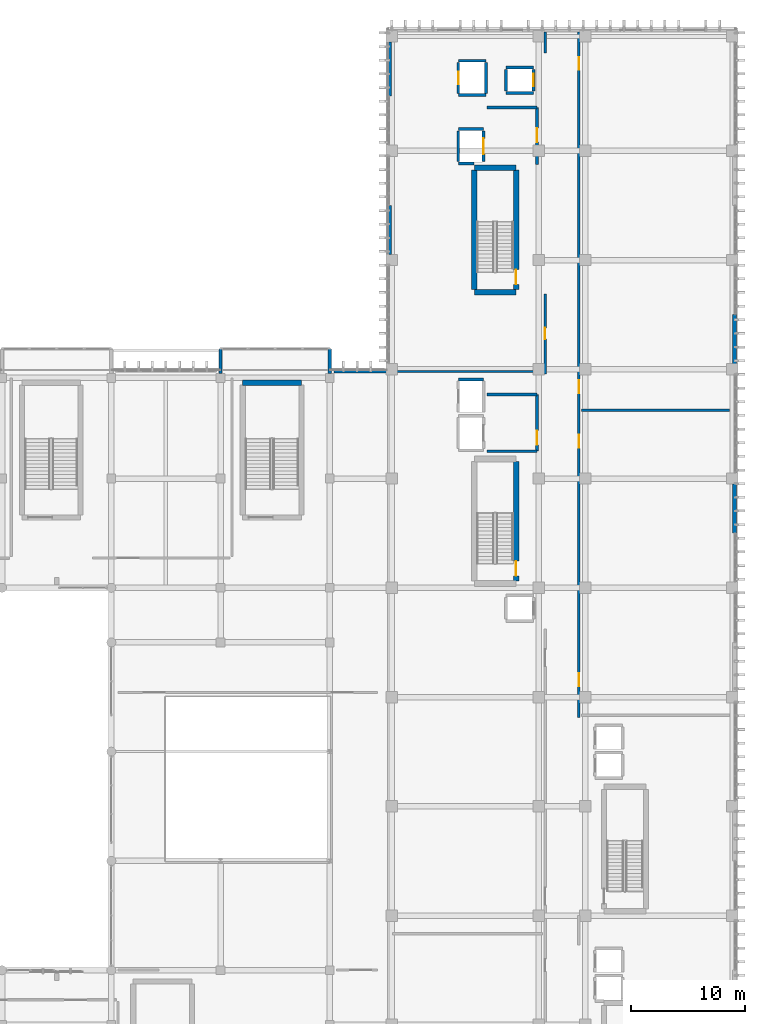
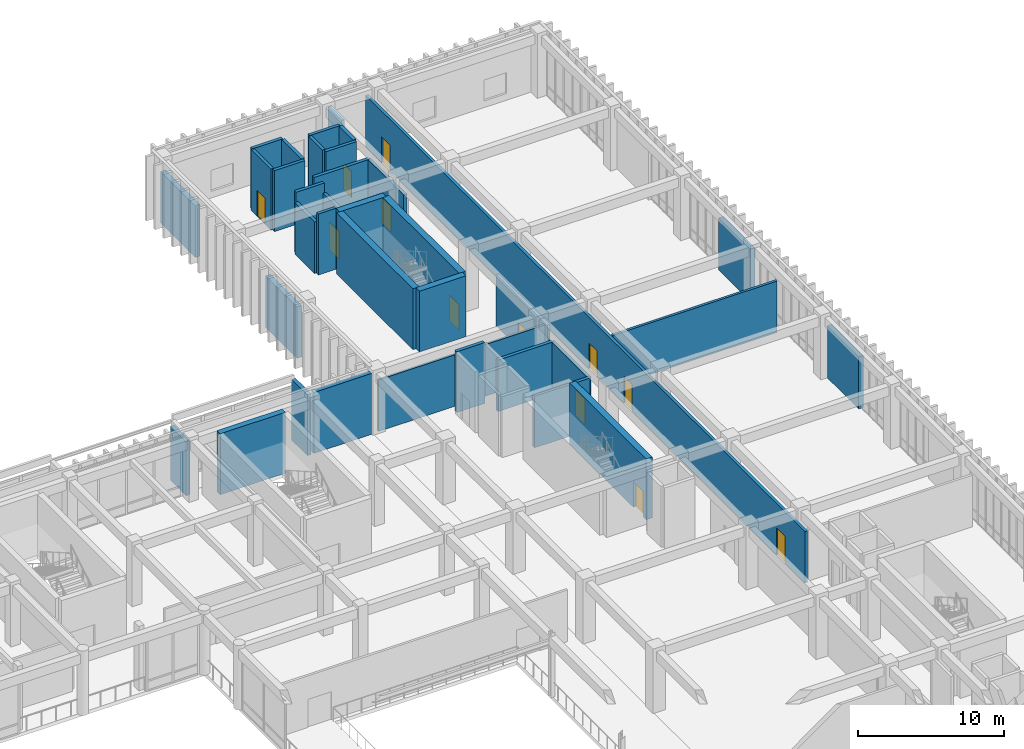
# One storey, part 108 of 134: 36 walls, 12 doors, 12 openings.
"""IFC4 building model written with IfcOpenShell, lengths in metres."""

from ifc_helpers import new_model, si_unit, direction, frame, frame_2d, origin, place, context, subcontext, project, spatial, rectangle, extrude, material, layer, layer_set, type_object, element, fill, save


model = new_model("IFC4")

# Units and contexts
model_context = context("Model", 3, precision=1e-05, world=origin(), true_north=direction((0.0, 1.0)))
body_context = subcontext(model_context, "Body", "Model", "MODEL_VIEW")
ifc_project = project(units=[si_unit("LENGTHUNIT", "METRE"), si_unit("AREAUNIT", "SQUARE_METRE"), si_unit("VOLUMEUNIT", "CUBIC_METRE"), si_unit("PLANEANGLEUNIT", "RADIAN"), si_unit("MASSUNIT", "GRAM", prefix="KILO")], contexts=[model_context])

# Site, building, storey
site_placement = place(None, origin())
site = spatial("IfcSite", under=ifc_project, at=site_placement, CompositionType="ELEMENT")
building_placement = place(site_placement, origin())
building = spatial("IfcBuilding", under=site, at=building_placement, Name="Nakhvara Creek Congress Hotel", CompositionType="ELEMENT")
storey_placement = place(building_placement, frame((0.0, 0.0, 6.0)))
storey = spatial("IfcBuildingStorey", under=building, at=storey_placement, Name="L01", CompositionType="ELEMENT", Elevation=6.0)

# Walls
ifc_material_1 = material(Name="Champagne-bronze anodised aluminium cassette", Category="aluminium")
ifc_layer_1 = layer(ifc_material_1, 0.030029296875)
ifc_material_2 = material(Name="Mineral wool thermal insulation")
ifc_layer_2 = layer(ifc_material_2, 0.10009765625)
ifc_material_3 = material(Name="Precast concrete C40/50", Category="concrete")
ifc_layer_3 = layer(ifc_material_3, 0.169921875)
ifc_layer_set_1 = layer_set([ifc_layer_1, ifc_layer_2, ifc_layer_3], Name="Precast concrete C40/50")
wall_type_1 = type_object("IfcWallType", Name="W-BOX-300", PredefinedType="SOLIDWALL", material=ifc_layer_set_1)
wall_1_placement = place(storey_placement, frame((134.39990234375, 95.64990234375, 0.0), z_axis=(0.0, 0.0, 1.0), x_axis=(0.0, 1.0, 0.0)))
element("IfcWall", 1, at=wall_1_placement, inside=storey, type_object=wall_type_1, Name="Exterior Wall WE06-EW-L01-0048", PredefinedType="SOLIDWALL", context=body_context, shape_type="SweptSolid", body=[
    extrude(rectangle(XDim=2.150146484375, YDim=0.300048828125, at=frame_2d((1.0751953125, 0.0))), origin(), (0.0, 0.0, 1.0), 4.5419921875),
])
wall_2_placement = place(storey_placement, frame((144.0, 97.800048828125, 0.0), z_axis=(0.0, 0.0, 1.0), x_axis=(0.0, -1.0, 0.0)))
element("IfcWall", 2, at=wall_2_placement, inside=storey, type_object=wall_type_1, Name="Exterior Wall WE06-EW-L01-0049", PredefinedType="SOLIDWALL", context=body_context, shape_type="SweptSolid", body=[
    extrude(rectangle(XDim=2.150146484375, YDim=0.300048828125, at=frame_2d((1.0751953125, 0.0))), origin(), (0.0, 0.0, 1.0), 5.10009765625),
])
ifc_material_4 = material(Name="Concrete C50/60", Category="concrete")
ifc_layer_4 = layer(ifc_material_4, 0.449951171875)
ifc_layer_set_2 = layer_set([ifc_layer_4], Name="Concrete C50/60")
wall_type_2 = type_object("IfcWallType", Name="W-CORE-450", PredefinedType="SHEAR", material=ifc_layer_set_2)
wall_3_placement = place(storey_placement, frame((136.35009765625, 94.820068359375, 0.0), z_axis=(0.0, 0.0, 1.0), x_axis=(1.0, 0.0, 0.0)))
element("IfcWall", 3, at=wall_3_placement, inside=storey, type_object=wall_type_2, Name="Core Shear Wall WS02-CWALL-L01-0924", PredefinedType="SHEAR", context=body_context, shape_type="SweptSolid", body=[
    extrude(rectangle(XDim=5.14990234375, YDim=0.449951171875, at=frame_2d((2.574951171875, 0.0))), origin(), (0.0, 0.0, 1.0), 5.10009765625),
])

# Wall, opening, door
ifc_layer_5 = layer(ifc_material_4, 0.5)
ifc_layer_set_3 = layer_set([ifc_layer_5], Name="Concrete C50/60")
wall_type_3 = type_object("IfcWallType", Name="W-CORE-500", PredefinedType="SHEAR", material=ifc_layer_set_3)
wall_4_placement = place(storey_placement, frame((160.3701171875, 77.39990234375, 0.0), z_axis=(0.0, 0.0, 1.0), x_axis=(0.0, 1.0, 0.0)))
wall_4 = element("IfcWall", 4, at=wall_4_placement, inside=storey, type_object=wall_type_3, Name="Core Shear Wall WS01-CWALL-L01-0058", PredefinedType="SHEAR", context=body_context, shape_type="SweptSolid", body=[
    extrude(rectangle(XDim=10.5, YDim=0.5, at=frame_2d((5.25, 0.0))), origin(), (0.0, 0.0, 1.0), 5.10009765625),
])
opening_1_placement = place(wall_4_placement, frame((0.449951171875, 0.0, 0.0)))
opening_1 = element("IfcOpeningElement", 5, at=opening_1_placement, cuts=wall_4, Name="Opening FD04", PredefinedType="OPENING", context=body_context, shape_type="SweptSolid", body=[
    extrude(rectangle(XDim=1.300048828125, YDim=2.14990234375, at=frame_2d((0.64990234375, 1.074951171875))), frame((0.0, 0.261962890625, 0.0), z_axis=(0.0, -1.0, 0.0), x_axis=(1.0, 0.0, 0.0)), (0.0, 0.0, 1.0), 0.52392578125),
])
ifc_material_5 = material(Name="Powder-coated steel fire door", Category="steel")
door_type_1 = type_object("IfcDoorType", Name="DT-STAIR-130", OperationType="NOTDEFINED", PredefinedType="DOOR", material=ifc_material_5)
door_1_placement = place(opening_1_placement, frame((1.300048828125, 0.0, 0.0), z_axis=(0.0, 0.0, 1.0), x_axis=(-1.0, 0.0, 0.0)))
door_1 = element("IfcDoor", 6, at=door_1_placement, inside=storey, type_object=door_type_1, Name="Stair Exit Door ST01-L01", OperationType="SINGLE_SWING_LEFT", OverallHeight=2.14990234375, OverallWidth=1.300048828125, PredefinedType="DOOR", context=body_context, shape_type="SweptSolid", body=[
    extrude(rectangle(XDim=1.300048828125, YDim=2.14990234375, at=frame_2d((0.64990234375, 1.074951171875))), frame((0.0, 0.02490234375, 0.0), z_axis=(0.0, -1.0, 0.0), x_axis=(1.0, 0.0, 0.0)), (0.0, 0.0, 1.0), 0.050048828125),
])
fill(opening_1, door_1)

# Walls
for number, where, z_axis, x_axis, name in (
    (7, (156.699951171875, 102.780029296875, 0.0), (0.0, 0.0, 1.0), (1.0, 0.0, 0.0), "Core Shear Wall WS01-CWALL-L01-0322"),
    (8, (156.699951171875, 113.719970703125, 0.0), (0.0, 0.0, 1.0), (1.0, 0.0, 0.0), "Core Shear Wall WS01-CWALL-L01-0323"),
):
    element("IfcWall", number, at=place(storey_placement, frame(where, z_axis=z_axis, x_axis=x_axis)), inside=storey, type_object=wall_type_3, Name=name, PredefinedType="SHEAR", context=body_context, shape_type="SweptSolid", body=[
        extrude(rectangle(XDim=3.670166015625, YDim=0.5, at=frame_2d((1.8349609375, 0.0))), origin(), (0.0, 0.0, 1.0), 5.10009765625),
    ])
wall_5_placement = place(storey_placement, frame((156.699951171875, 103.0, 0.0), z_axis=(0.0, 0.0, 1.0), x_axis=(0.0, 1.0, 0.0)))
element("IfcWall", 9, at=wall_5_placement, inside=storey, type_object=wall_type_3, Name="Core Shear Wall WS01-CWALL-L01-0324", PredefinedType="SHEAR", context=body_context, shape_type="SweptSolid", body=[
    extrude(rectangle(XDim=10.5, YDim=0.5, at=frame_2d((5.25, 0.0))), origin(), (0.0, 0.0, 1.0), 5.10009765625),
])

# Wall, opening, door
wall_6_placement = place(storey_placement, frame((160.3701171875, 103.0, 0.0), z_axis=(0.0, 0.0, 1.0), x_axis=(0.0, 1.0, 0.0)))
wall_6 = element("IfcWall", 10, at=wall_6_placement, inside=storey, type_object=wall_type_3, Name="Core Shear Wall WS01-CWALL-L01-0325", PredefinedType="SHEAR", context=body_context, shape_type="SweptSolid", body=[
    extrude(rectangle(XDim=10.5, YDim=0.5, at=frame_2d((5.25, 0.0))), origin(), (0.0, 0.0, 1.0), 5.10009765625),
])
opening_2_placement = place(wall_6_placement, frame((0.449951171875, 0.0, 0.0)))
opening_2 = element("IfcOpeningElement", 11, at=opening_2_placement, cuts=wall_6, Name="Opening FD04", PredefinedType="OPENING", context=body_context, shape_type="SweptSolid", body=[
    extrude(rectangle(XDim=1.300048828125, YDim=2.14990234375, at=frame_2d((0.64990234375, 1.074951171875))), frame((0.0, 0.261962890625, 0.0), z_axis=(0.0, -1.0, 0.0), x_axis=(1.0, 0.0, 0.0)), (0.0, 0.0, 1.0), 0.52392578125),
])
door_2_placement = place(opening_2_placement, frame((1.300048828125, 0.0, 0.0), z_axis=(0.0, 0.0, 1.0), x_axis=(-1.0, 0.0, 0.0)))
door_2 = element("IfcDoor", 12, at=door_2_placement, inside=storey, type_object=door_type_1, Name="Stair Exit Door ST02-L01", OperationType="SINGLE_SWING_LEFT", OverallHeight=2.14990234375, OverallWidth=1.300048828125, PredefinedType="DOOR", context=body_context, shape_type="SweptSolid", body=[
    extrude(rectangle(XDim=1.300048828125, YDim=2.14990234375, at=frame_2d((0.64990234375, 1.074951171875))), frame((0.0, 0.02490234375, 0.0), z_axis=(0.0, -1.0, 0.0), x_axis=(1.0, 0.0, 0.0)), (0.0, 0.0, 1.0), 0.050048828125),
])
fill(opening_2, door_2)

ifc_material_6 = material(Name="Gypsum acoustic board on steel stud", Category="steel")
ifc_layer_6 = layer(ifc_material_6, 0.219970703125)
ifc_layer_set_4 = layer_set([ifc_layer_6], Name="Gypsum acoustic board on steel stud")
wall_type_4 = type_object("IfcWallType", Name="W-CORR-220", PredefinedType="PARTITIONING", material=ifc_layer_set_4)
wall_7_placement = place(storey_placement, frame((162.919921875, 95.60009765625, 0.0), z_axis=(0.0, 0.0, 1.0), x_axis=(0.0, 1.0, 0.0)))
wall_7 = element("IfcWall", 13, at=wall_7_placement, inside=storey, type_object=wall_type_4, Name="Interior Wall WP11-IW-L01-0079", PredefinedType="PARTITIONING", context=body_context, shape_type="SweptSolid", body=[
    extrude(rectangle(XDim=7.0, YDim=0.219970703125, at=frame_2d((3.5, 0.0))), origin(), (0.0, 0.0, 1.0), 4.31201171875),
])
opening_3_placement = place(wall_7_placement, frame((3.050048828125, 0.0, 0.0)))
opening_3 = element("IfcOpeningElement", 14, at=opening_3_placement, cuts=wall_7, Name="Opening MD03", PredefinedType="OPENING", context=body_context, shape_type="SweptSolid", body=[
    extrude(rectangle(XDim=0.97998046875, YDim=2.14990234375, at=frame_2d((0.489990234375, 1.074951171875))), frame((0.0, 0.1220703125, 0.0), z_axis=(0.0, -1.0, 0.0), x_axis=(1.0, 0.0, 0.0)), (0.0, 0.0, 1.0), 0.243896484375),
])
ifc_material_7 = material(Name="Acoustic ISO 2603 sound-lock timber door", Category="wood")
door_type_2 = type_object("IfcDoorType", Name="DT-ISO-098", OperationType="NOTDEFINED", PredefinedType="DOOR", material=ifc_material_7)
door_3_placement = place(opening_3_placement, frame((0.97998046875, 0.0, 0.0), z_axis=(0.0, 0.0, 1.0), x_axis=(-1.0, 0.0, 0.0)))
door_3 = element("IfcDoor", 15, at=door_3_placement, inside=storey, type_object=door_type_2, Name="Interior Door MD03-0123", OperationType="SINGLE_SWING_RIGHT", OverallHeight=2.14990234375, OverallWidth=0.97998046875, PredefinedType="DOOR", context=body_context, shape_type="SweptSolid", body=[
    extrude(rectangle(XDim=0.97998046875, YDim=2.14990234375, at=frame_2d((0.489990234375, 1.074951171875))), frame((0.0, 0.02490234375, 0.0), z_axis=(0.0, -1.0, 0.0), x_axis=(1.0, 0.0, 0.0)), (0.0, 0.0, 1.0), 0.050048828125),
])
fill(opening_3, door_3)

# Wall
wall_8_placement = place(storey_placement, frame((162.919921875, 123.800048828125, 0.0), z_axis=(0.0, 0.0, 1.0), x_axis=(0.0, 1.0, 0.0)))
element("IfcWall", 16, at=wall_8_placement, inside=storey, type_object=wall_type_4, Name="Interior Wall WP11-IW-L01-0080", PredefinedType="PARTITIONING", context=body_context, shape_type="SweptSolid", body=[
    extrude(rectangle(XDim=1.849853515625, YDim=0.219970703125, at=frame_2d((0.9248046875, 0.0))), origin(), (0.0, 0.0, 1.0), 4.342041015625),
])

# Wall, openings, doors
wall_9_placement = place(storey_placement, frame((165.8798828125, 65.39990234375, 0.0), z_axis=(0.0, 0.0, 1.0), x_axis=(0.0, 1.0, 0.0)))
wall_9 = element("IfcWall", 17, at=wall_9_placement, inside=storey, type_object=wall_type_4, Name="Interior Wall WP11-IW-L01-0083", PredefinedType="PARTITIONING", context=body_context, shape_type="SweptSolid", body=[
    extrude(rectangle(XDim=60.25, YDim=0.219970703125, at=frame_2d((30.125, 0.0))), origin(), (0.0, 0.0, 1.0), 4.31201171875),
])
opening_4_placement = place(wall_9_placement, frame((2.75, 0.0, 0.0)))
opening_4 = element("IfcOpeningElement", 18, at=opening_4_placement, cuts=wall_9, Name="Opening GD05", PredefinedType="OPENING", context=body_context, shape_type="SweptSolid", body=[
    extrude(rectangle(XDim=1.139892578125, YDim=2.260009765625, at=frame_2d((0.56982421875, 1.1298828125))), frame((0.0, 0.1220703125, 0.0), z_axis=(0.0, -1.0, 0.0), x_axis=(1.0, 0.0, 0.0)), (0.0, 0.0, 1.0), 0.243896484375),
])
opening_5_placement = place(wall_9_placement, frame((23.699951171875, 0.0, 0.0)))
opening_5 = element("IfcOpeningElement", 19, at=opening_5_placement, cuts=wall_9, Name="Opening GD05", PredefinedType="OPENING", context=body_context, shape_type="SweptSolid", body=[
    extrude(rectangle(XDim=1.139892578125, YDim=2.260009765625, at=frame_2d((0.56982421875, 1.1298828125))), frame((0.0, 0.1220703125, 0.0), z_axis=(0.0, -1.0, 0.0), x_axis=(1.0, 0.0, 0.0)), (0.0, 0.0, 1.0), 0.243896484375),
])
opening_6_placement = place(wall_9_placement, frame((28.5, 0.0, 0.0)))
opening_6 = element("IfcOpeningElement", 20, at=opening_6_placement, cuts=wall_9, Name="Opening BD01", PredefinedType="OPENING", context=body_context, shape_type="SweptSolid", body=[
    extrude(rectangle(XDim=1.1201171875, YDim=2.14990234375, at=frame_2d((0.56005859375, 1.074951171875))), frame((0.0, 0.1220703125, 0.0), z_axis=(0.0, -1.0, 0.0), x_axis=(1.0, 0.0, 0.0)), (0.0, 0.0, 1.0), 0.243896484375),
])
opening_7_placement = place(wall_9_placement, frame((56.89990234375, 0.0, 0.0)))
opening_7 = element("IfcOpeningElement", 21, at=opening_7_placement, cuts=wall_9, Name="Opening BD01", PredefinedType="OPENING", context=body_context, shape_type="SweptSolid", body=[
    extrude(rectangle(XDim=1.1201171875, YDim=2.14990234375, at=frame_2d((0.56005859375, 1.074951171875))), frame((0.0, 0.1220703125, 0.0), z_axis=(0.0, -1.0, 0.0), x_axis=(1.0, 0.0, 0.0)), (0.0, 0.0, 1.0), 0.243896484375),
])
ifc_material_8 = material(Name="Walnut hardwood timber fire door", Category="wood")
door_type_3 = type_object("IfcDoorType", Name="DT-GUEST-114", OperationType="NOTDEFINED", PredefinedType="DOOR", material=ifc_material_8)
door_4_placement = place(opening_4_placement, origin())
door_4 = element("IfcDoor", 22, at=door_4_placement, inside=storey, type_object=door_type_3, Name="Interior Door GD05-0119", OperationType="SINGLE_SWING_RIGHT", OverallHeight=2.260009765625, OverallWidth=1.139892578125, PredefinedType="DOOR", context=body_context, shape_type="SweptSolid", body=[
    extrude(rectangle(XDim=1.139892578125, YDim=2.260009765625, at=frame_2d((0.56982421875, 1.1298828125))), frame((0.0, 0.02490234375, 0.0), z_axis=(0.0, -1.0, 0.0), x_axis=(1.0, 0.0, 0.0)), (0.0, 0.0, 1.0), 0.050048828125),
])
fill(opening_4, door_4)
door_5_placement = place(opening_5_placement, origin())
door_5 = element("IfcDoor", 23, at=door_5_placement, inside=storey, type_object=door_type_3, Name="Interior Door GD05-0120", OperationType="SINGLE_SWING_LEFT", OverallHeight=2.260009765625, OverallWidth=1.139892578125, PredefinedType="DOOR", context=body_context, shape_type="SweptSolid", body=[
    extrude(rectangle(XDim=1.139892578125, YDim=2.260009765625, at=frame_2d((0.56982421875, 1.1298828125))), frame((0.0, 0.02490234375, 0.0), z_axis=(0.0, -1.0, 0.0), x_axis=(1.0, 0.0, 0.0)), (0.0, 0.0, 1.0), 0.050048828125),
])
fill(opening_5, door_5)
ifc_material_9 = material(Name="Hardwood-faced service fire door", Category="wood")
door_type_4 = type_object("IfcDoorType", Name="DT-HK-112", OperationType="NOTDEFINED", PredefinedType="DOOR", material=ifc_material_9)
door_6_placement = place(opening_6_placement, origin())
door_6 = element("IfcDoor", 24, at=door_6_placement, inside=storey, type_object=door_type_4, Name="Interior Door BD01-0124", OperationType="SINGLE_SWING_LEFT", OverallHeight=2.14990234375, OverallWidth=1.1201171875, PredefinedType="DOOR", context=body_context, shape_type="SweptSolid", body=[
    extrude(rectangle(XDim=1.1201171875, YDim=2.14990234375, at=frame_2d((0.56005859375, 1.074951171875))), frame((0.0, 0.02490234375, 0.0), z_axis=(0.0, -1.0, 0.0), x_axis=(1.0, 0.0, 0.0)), (0.0, 0.0, 1.0), 0.050048828125),
])
fill(opening_6, door_6)
door_7_placement = place(opening_7_placement, origin())
door_7 = element("IfcDoor", 25, at=door_7_placement, inside=storey, type_object=door_type_4, Name="Interior Door BD01-0125", OperationType="SINGLE_SWING_RIGHT", OverallHeight=2.14990234375, OverallWidth=1.1201171875, PredefinedType="DOOR", context=body_context, shape_type="SweptSolid", body=[
    extrude(rectangle(XDim=1.1201171875, YDim=2.14990234375, at=frame_2d((0.56005859375, 1.074951171875))), frame((0.0, 0.02490234375, 0.0), z_axis=(0.0, -1.0, 0.0), x_axis=(1.0, 0.0, 0.0)), (0.0, 0.0, 1.0), 0.050048828125),
])
fill(opening_7, door_7)

# Walls
ifc_material_10 = material(Name="Architectural GRC panel")
ifc_layer_7 = layer(ifc_material_10, 0.0400390625)
ifc_layer_8 = layer(ifc_material_2, 0.10009765625)
ifc_layer_9 = layer(ifc_material_3, 0.199951171875)
ifc_layer_set_5 = layer_set([ifc_layer_7, ifc_layer_8, ifc_layer_9], Name="Precast concrete C40/50")
wall_type_5 = type_object("IfcWallType", Name="W-EXT-340", PredefinedType="SOLIDWALL", material=ifc_layer_set_5)
wall_10_placement = place(storey_placement, frame((144.364990234375, 95.830078125, 0.0), z_axis=(0.0, 0.0, 1.0), x_axis=(1.0, 0.0, 0.0)))
element("IfcWall", 26, at=wall_10_placement, inside=storey, type_object=wall_type_5, Name="Exterior Wall WE04-EW-L01-0053", PredefinedType="SOLIDWALL", context=body_context, shape_type="SweptSolid", body=[
    extrude(rectangle(XDim=4.610107421875, YDim=0.340087890625, at=frame_2d((2.30517578125, 0.0))), origin(), (0.0, 0.0, 1.0), 5.10009765625),
])
ifc_material_11 = material(Name="Honed pale Omani limestone cladding", Category="masonry")
ifc_layer_10 = layer(ifc_material_11, 0.050048828125)
ifc_layer_11 = layer(ifc_material_2, 0.110107421875)
ifc_layer_12 = layer(ifc_material_3, 0.219970703125)
ifc_layer_set_6 = layer_set([ifc_layer_10, ifc_layer_11, ifc_layer_12], Name="Precast concrete C40/50")
wall_type_6 = type_object("IfcWallType", Name="W-EXT-380", PredefinedType="SOLIDWALL", material=ifc_layer_set_6)
for number, where, z_axis, x_axis, name in (
    (27, (179.56005859375, 85.925048828125, 0.0), (0.0, 0.0, 1.0), (0.0, -1.0, 0.0), "Exterior Wall WE03-EW-L01-0102"),
    (28, (179.56005859375, 100.800048828125, 0.0), (0.0, 0.0, 1.0), (0.0, -1.0, 0.0), "Exterior Wall WE03-EW-L01-0103"),
):
    element("IfcWall", number, at=place(storey_placement, frame(where, z_axis=z_axis, x_axis=x_axis)), inside=storey, type_object=wall_type_6, Name=name, PredefinedType="SOLIDWALL", context=body_context, shape_type="SweptSolid", body=[
        extrude(rectangle(XDim=4.324951171875, YDim=0.3798828125, at=frame_2d((2.16259765625, 0.0))), origin(), (0.0, 0.0, 1.0), 4.342041015625),
    ])
wall_11_placement = place(storey_placement, frame((149.239990234375, 106.074951171875, 0.0), z_axis=(0.0, 0.0, 1.0), x_axis=(0.0, 1.0, 0.0)))
element("IfcWall", 29, at=wall_11_placement, inside=storey, type_object=wall_type_6, Name="Exterior Wall WE03-EW-L01-0104", PredefinedType="SOLIDWALL", context=body_context, shape_type="SweptSolid", body=[
    extrude(rectangle(XDim=4.324951171875, YDim=0.3798828125, at=frame_2d((2.16259765625, 0.0))), origin(), (0.0, 0.0, 1.0), 4.31201171875),
])
wall_12_placement = place(storey_placement, frame((149.239990234375, 120.0, 0.0), z_axis=(0.0, 0.0, 1.0), x_axis=(0.0, 1.0, 0.0)))
element("IfcWall", 30, at=wall_12_placement, inside=storey, type_object=wall_type_6, Name="Exterior Wall WE03-EW-L01-0106", PredefinedType="SOLIDWALL", context=body_context, shape_type="SweptSolid", body=[
    extrude(rectangle(XDim=4.77490234375, YDim=0.3798828125, at=frame_2d((2.387451171875, 0.0))), origin(), (0.0, 0.0, 1.0), 4.31201171875),
])

# Wall, opening, door
ifc_material_12 = material(Name="Concrete C40/50", Category="concrete")
ifc_layer_13 = layer(ifc_material_12, 0.260009765625)
ifc_layer_set_7 = layer_set([ifc_layer_13], Name="Concrete C40/50")
wall_type_7 = type_object("IfcWallType", Name="W-FFL-260", PredefinedType="SOLIDWALL", material=ifc_layer_set_7)
wall_13_placement = place(storey_placement, frame((162.199951171875, 88.800048828125, 0.0), z_axis=(0.0, 0.0, 1.0), x_axis=(0.0, 1.0, 0.0)))
wall_13 = element("IfcWall", 31, at=wall_13_placement, inside=storey, type_object=wall_type_7, Name="Core Shear Wall WI03-CWALL-L01-0070", PredefinedType="SOLIDWALL", context=body_context, shape_type="SweptSolid", body=[
    extrude(rectangle(XDim=5.0, YDim=0.260009765625, at=frame_2d((2.5, 0.0))), origin(), (0.0, 0.0, 1.0), 4.31201171875),
])
opening_8_placement = place(wall_13_placement, frame((0.550048828125, 0.0, 0.0)))
opening_8 = element("IfcOpeningElement", 32, at=opening_8_placement, cuts=wall_13, Name="Opening FD05", PredefinedType="OPENING", context=body_context, shape_type="SweptSolid", body=[
    extrude(rectangle(XDim=1.25, YDim=2.14990234375, at=frame_2d((0.625, 1.074951171875))), frame((0.0, 0.14208984375, 0.0), z_axis=(0.0, -1.0, 0.0), x_axis=(1.0, 0.0, 0.0)), (0.0, 0.0, 1.0), 0.283935546875),
])
ifc_material_13 = material(Name="Hardwood-veneered steel fire door", Category="steel")
door_type_5 = type_object("IfcDoorType", Name="DT-FFL-125", OperationType="NOTDEFINED", PredefinedType="DOOR", material=ifc_material_13)
door_8_placement = place(opening_8_placement, origin())
door_8 = element("IfcDoor", 33, at=door_8_placement, inside=storey, type_object=door_type_5, Name="Firefighting Lobby Door C1-L01", OperationType="DOUBLE_DOOR_SINGLE_SWING", OverallHeight=2.14990234375, OverallWidth=1.25, PredefinedType="DOOR", context=body_context, shape_type="SweptSolid", body=[
    extrude(rectangle(XDim=1.25, YDim=2.14990234375, at=frame_2d((0.625, 1.074951171875))), frame((0.0, 0.02490234375, 0.0), z_axis=(0.0, -1.0, 0.0), x_axis=(1.0, 0.0, 0.0)), (0.0, 0.0, 1.0), 0.050048828125),
])
fill(opening_8, door_8)

# Walls
for number, where, z_axis, x_axis, name in (
    (34, (157.800048828125, 88.800048828125, 0.0), (0.0, 0.0, 1.0), (1.0, 0.0, 0.0), "Core Shear Wall WI03-CWALL-L01-0071"),
    (35, (157.800048828125, 93.800048828125, 0.0), (0.0, 0.0, 1.0), (1.0, 0.0, 0.0), "Core Shear Wall WI03-CWALL-L01-0072"),
):
    element("IfcWall", number, at=place(storey_placement, frame(where, z_axis=z_axis, x_axis=x_axis)), inside=storey, type_object=wall_type_7, Name=name, PredefinedType="SOLIDWALL", context=body_context, shape_type="SweptSolid", body=[
        extrude(rectangle(XDim=4.39990234375, YDim=0.260009765625, at=frame_2d((2.199951171875, 0.0))), origin(), (0.0, 0.0, 1.0), 4.31201171875),
    ])

# Wall, opening, door
wall_14_placement = place(storey_placement, frame((162.199951171875, 114.0, 0.0), z_axis=(0.0, 0.0, 1.0), x_axis=(0.0, 1.0, 0.0)))
wall_14 = element("IfcWall", 36, at=wall_14_placement, inside=storey, type_object=wall_type_7, Name="Core Shear Wall WI03-CWALL-L01-0338", PredefinedType="SOLIDWALL", context=body_context, shape_type="SweptSolid", body=[
    extrude(rectangle(XDim=5.0, YDim=0.260009765625, at=frame_2d((2.5, 0.0))), origin(), (0.0, 0.0, 1.0), 4.31201171875),
])
opening_9_placement = place(wall_14_placement, frame((1.949951171875, 0.0, 0.0)))
opening_9 = element("IfcOpeningElement", 37, at=opening_9_placement, cuts=wall_14, Name="Opening FD05", PredefinedType="OPENING", context=body_context, shape_type="SweptSolid", body=[
    extrude(rectangle(XDim=1.25, YDim=2.14990234375, at=frame_2d((0.625, 1.074951171875))), frame((0.0, 0.14208984375, 0.0), z_axis=(0.0, -1.0, 0.0), x_axis=(1.0, 0.0, 0.0)), (0.0, 0.0, 1.0), 0.283935546875),
])
door_9_placement = place(opening_9_placement, origin())
door_9 = element("IfcDoor", 38, at=door_9_placement, inside=storey, type_object=door_type_5, Name="Firefighting Lobby Door C2-L01", OperationType="DOUBLE_DOOR_SINGLE_SWING", OverallHeight=2.14990234375, OverallWidth=1.25, PredefinedType="DOOR", context=body_context, shape_type="SweptSolid", body=[
    extrude(rectangle(XDim=1.25, YDim=2.14990234375, at=frame_2d((0.625, 1.074951171875))), frame((0.0, 0.02490234375, 0.0), z_axis=(0.0, -1.0, 0.0), x_axis=(1.0, 0.0, 0.0)), (0.0, 0.0, 1.0), 0.050048828125),
])
fill(opening_9, door_9)

# Walls
wall_15_placement = place(storey_placement, frame((157.800048828125, 119.0, 0.0), z_axis=(0.0, 0.0, 1.0), x_axis=(1.0, 0.0, 0.0)))
element("IfcWall", 39, at=wall_15_placement, inside=storey, type_object=wall_type_7, Name="Core Shear Wall WI03-CWALL-L01-0339", PredefinedType="SOLIDWALL", context=body_context, shape_type="SweptSolid", body=[
    extrude(rectangle(XDim=4.39990234375, YDim=0.260009765625, at=frame_2d((2.199951171875, 0.0))), origin(), (0.0, 0.0, 1.0), 4.31201171875),
])
ifc_layer_14 = layer(ifc_material_6, 0.179931640625)
ifc_layer_set_8 = layer_set([ifc_layer_14], Name="Gypsum acoustic board on steel stud")
wall_type_8 = type_object("IfcWallType", Name="W-MEET-180", PredefinedType="PARTITIONING", material=ifc_layer_set_8)
wall_16_placement = place(storey_placement, frame((149.5, 95.800048828125, 0.0), z_axis=(0.0, 0.0, 1.0), x_axis=(1.0, 0.0, 0.0)))
element("IfcWall", 40, at=wall_16_placement, inside=storey, type_object=wall_type_8, Name="Interior Wall WP13-IW-L01-0117", PredefinedType="PARTITIONING", context=body_context, shape_type="SweptSolid", body=[
    extrude(rectangle(XDim=13.199951171875, YDim=0.179931640625, at=frame_2d((6.60009765625, 0.0))), origin(), (0.0, 0.0, 1.0), 4.31201171875),
])
ifc_layer_15 = layer(ifc_material_6, 0.199951171875)
ifc_layer_set_9 = layer_set([ifc_layer_15], Name="Gypsum acoustic board on steel stud")
wall_type_9 = type_object("IfcWallType", Name="W-PART-200", PredefinedType="PARTITIONING", material=ifc_layer_set_9)
wall_17_placement = place(storey_placement, frame((166.10009765625, 92.39990234375, 0.0), z_axis=(0.0, 0.0, 1.0), x_axis=(1.0, 0.0, 0.0)))
element("IfcWall", 41, at=wall_17_placement, inside=storey, type_object=wall_type_9, Name="Interior Wall WP12-IW-L01-0118", PredefinedType="PARTITIONING", context=body_context, shape_type="SweptSolid", body=[
    extrude(rectangle(XDim=13.0, YDim=0.199951171875, at=frame_2d((6.5, 0.0))), origin(), (0.0, 0.0, 1.0), 4.31201171875),
])
ifc_layer_16 = layer(ifc_material_12, 0.25)
ifc_layer_set_10 = layer_set([ifc_layer_16], Name="Concrete C40/50")
wall_type_10 = type_object("IfcWallType", Name="W-SHAFT-250", PredefinedType="SOLIDWALL", material=ifc_layer_set_10)
wall_18_placement = place(storey_placement, frame((155.2900390625, 95.110107421875, 0.0), z_axis=(0.0, 0.0, 1.0), x_axis=(1.0, 0.0, 0.0)))
element("IfcWall", 42, at=wall_18_placement, inside=storey, type_object=wall_type_10, Name="Core Shear Wall WI02-CWALL-L01-0063", PredefinedType="SOLIDWALL", context=body_context, shape_type="SweptSolid", body=[
    extrude(rectangle(XDim=2.219970703125, YDim=0.25, at=frame_2d((1.10986328125, 0.0))), origin(), (0.0, 0.0, 1.0), 5.10009765625),
])
wall_19_placement = place(storey_placement, frame((155.2900390625, 114.090087890625, 0.0), z_axis=(0.0, 0.0, 1.0), x_axis=(1.0, 0.0, 0.0)))
element("IfcWall", 43, at=wall_19_placement, inside=storey, type_object=wall_type_10, Name="Core Shear Wall WI02-CWALL-L01-0326", PredefinedType="SOLIDWALL", context=body_context, shape_type="SweptSolid", body=[
    extrude(rectangle(XDim=1.39990234375, YDim=0.25, at=frame_2d((0.699951171875, 0.0))), origin(), (0.0, 0.0, 1.0), 5.10009765625),
])
wall_20_placement = place(storey_placement, frame((155.2900390625, 117.110107421875, 0.0), z_axis=(0.0, 0.0, 1.0), x_axis=(1.0, 0.0, 0.0)))
element("IfcWall", 44, at=wall_20_placement, inside=storey, type_object=wall_type_10, Name="Core Shear Wall WI02-CWALL-L01-0327", PredefinedType="SOLIDWALL", context=body_context, shape_type="SweptSolid", body=[
    extrude(rectangle(XDim=2.219970703125, YDim=0.25, at=frame_2d((1.10986328125, 0.0))), origin(), (0.0, 0.0, 1.0), 5.10009765625),
])
wall_21_placement = place(storey_placement, frame((155.2900390625, 114.25, 0.0), z_axis=(0.0, 0.0, 1.0), x_axis=(0.0, 1.0, 0.0)))
element("IfcWall", 45, at=wall_21_placement, inside=storey, type_object=wall_type_10, Name="Core Shear Wall WI02-CWALL-L01-0328", PredefinedType="SOLIDWALL", context=body_context, shape_type="SweptSolid", body=[
    extrude(rectangle(XDim=2.699951171875, YDim=0.25, at=frame_2d((1.35009765625, 0.0))), origin(), (0.0, 0.0, 1.0), 4.31201171875),
])

# Wall, opening, door
wall_22_placement = place(storey_placement, frame((157.510009765625, 114.25, 0.0), z_axis=(0.0, 0.0, 1.0), x_axis=(0.0, 1.0, 0.0)))
wall_22 = element("IfcWall", 46, at=wall_22_placement, inside=storey, type_object=wall_type_10, Name="Core Shear Wall WI02-CWALL-L01-0329", PredefinedType="SOLIDWALL", context=body_context, shape_type="SweptSolid", body=[
    extrude(rectangle(XDim=2.699951171875, YDim=0.25, at=frame_2d((1.35009765625, 0.0))), origin(), (0.0, 0.0, 1.0), 4.31201171875),
])
opening_10_placement = place(wall_22_placement, frame((0.64990234375, 0.0, 0.0)))
opening_10 = element("IfcOpeningElement", 47, at=opening_10_placement, cuts=wall_22, Name="Opening LD02", PredefinedType="OPENING", context=body_context, shape_type="SweptSolid", body=[
    extrude(rectangle(XDim=1.39990234375, YDim=2.300048828125, at=frame_2d((0.699951171875, 1.14990234375))), frame((0.0, 0.136962890625, 0.0), z_axis=(0.0, -1.0, 0.0), x_axis=(1.0, 0.0, 0.0)), (0.0, 0.0, 1.0), 0.27392578125),
])
ifc_material_14 = material(Name="Brushed stainless steel heavy goods landing door", Category="steel")
door_type_6 = type_object("IfcDoorType", Name="DT-LIFT-140", OperationType="DOUBLE_DOOR_SLIDING", PredefinedType="DOOR", material=ifc_material_14)
door_10_placement = place(opening_10_placement, origin())
door_10 = element("IfcDoor", 48, at=door_10_placement, inside=storey, type_object=door_type_6, Name="Landing Door FFL2-L01", OperationType="SLIDING_TO_LEFT", OverallHeight=2.300048828125, OverallWidth=1.39990234375, PredefinedType="DOOR", context=body_context, shape_type="SweptSolid", body=[
    extrude(rectangle(XDim=1.39990234375, YDim=2.300048828125, at=frame_2d((0.699951171875, 1.14990234375))), frame((0.0, 0.02490234375, 0.0), z_axis=(0.0, -1.0, 0.0), x_axis=(1.0, 0.0, 0.0)), (0.0, 0.0, 1.0), 0.050048828125),
])
fill(opening_10, door_10)

# Walls
for number, where, z_axis, x_axis, name in (
    (49, (159.489990234375, 120.2900390625, 0.0), (0.0, 0.0, 1.0), (1.0, 0.0, 0.0), "Core Shear Wall WI02-CWALL-L01-0330"),
    (50, (159.489990234375, 122.510009765625, 0.0), (0.0, 0.0, 1.0), (1.0, 0.0, 0.0), "Core Shear Wall WI02-CWALL-L01-0331"),
):
    element("IfcWall", number, at=place(storey_placement, frame(where, z_axis=z_axis, x_axis=x_axis)), inside=storey, type_object=wall_type_10, Name=name, PredefinedType="SOLIDWALL", context=body_context, shape_type="SweptSolid", body=[
        extrude(rectangle(XDim=2.419921875, YDim=0.25, at=frame_2d((1.2099609375, 0.0))), origin(), (0.0, 0.0, 1.0), 5.10009765625),
    ])
wall_23_placement = place(storey_placement, frame((159.489990234375, 120.449951171875, 0.0), z_axis=(0.0, 0.0, 1.0), x_axis=(0.0, 1.0, 0.0)))
element("IfcWall", 51, at=wall_23_placement, inside=storey, type_object=wall_type_10, Name="Core Shear Wall WI02-CWALL-L01-0332", PredefinedType="SOLIDWALL", context=body_context, shape_type="SweptSolid", body=[
    extrude(rectangle(XDim=1.900146484375, YDim=0.25, at=frame_2d((0.9501953125, 0.0))), origin(), (0.0, 0.0, 1.0), 5.10009765625),
])

# Wall, opening, door
wall_24_placement = place(storey_placement, frame((161.909912109375, 120.449951171875, 0.0), z_axis=(0.0, 0.0, 1.0), x_axis=(0.0, 1.0, 0.0)))
wall_24 = element("IfcWall", 52, at=wall_24_placement, inside=storey, type_object=wall_type_10, Name="Core Shear Wall WI02-CWALL-L01-0333", PredefinedType="SOLIDWALL", context=body_context, shape_type="SweptSolid", body=[
    extrude(rectangle(XDim=1.900146484375, YDim=0.25, at=frame_2d((0.9501953125, 0.0))), origin(), (0.0, 0.0, 1.0), 5.10009765625),
])
opening_11_placement = place(wall_24_placement, frame((0.39990234375, 0.0, 0.0)))
opening_11 = element("IfcOpeningElement", 53, at=opening_11_placement, cuts=wall_24, Name="Opening LD01", PredefinedType="OPENING", context=body_context, shape_type="SweptSolid", body=[
    extrude(rectangle(XDim=1.10009765625, YDim=2.199951171875, at=frame_2d((0.550048828125, 1.10009765625))), frame((0.0, 0.136962890625, 0.0), z_axis=(0.0, -1.0, 0.0), x_axis=(1.0, 0.0, 0.0)), (0.0, 0.0, 1.0), 0.27392578125),
])
ifc_material_15 = material(Name="Brushed stainless steel sliding landing door", Category="steel")
door_type_7 = type_object("IfcDoorType", Name="DT-LIFT-110", OperationType="DOUBLE_DOOR_SLIDING", PredefinedType="DOOR", material=ifc_material_15)
door_11_placement = place(opening_11_placement, origin())
door_11 = element("IfcDoor", 54, at=door_11_placement, inside=storey, type_object=door_type_7, Name="Landing Door PL01-L01", OperationType="SLIDING_TO_LEFT", OverallHeight=2.199951171875, OverallWidth=1.10009765625, PredefinedType="DOOR", context=body_context, shape_type="SweptSolid", body=[
    extrude(rectangle(XDim=1.10009765625, YDim=2.199951171875, at=frame_2d((0.550048828125, 1.10009765625))), frame((0.0, 0.02490234375, 0.0), z_axis=(0.0, -1.0, 0.0), x_axis=(1.0, 0.0, 0.0)), (0.0, 0.0, 1.0), 0.050048828125),
])
fill(opening_11, door_11)

# Walls
for number, where, z_axis, x_axis, name in (
    (55, (155.2900390625, 120.090087890625, 0.0), (0.0, 0.0, 1.0), (1.0, 0.0, 0.0), "Core Shear Wall WI02-CWALL-L01-0334"),
    (56, (155.2900390625, 123.110107421875, 0.0), (0.0, 0.0, 1.0), (1.0, 0.0, 0.0), "Core Shear Wall WI02-CWALL-L01-0335"),
):
    element("IfcWall", number, at=place(storey_placement, frame(where, z_axis=z_axis, x_axis=x_axis)), inside=storey, type_object=wall_type_10, Name=name, PredefinedType="SOLIDWALL", context=body_context, shape_type="SweptSolid", body=[
        extrude(rectangle(XDim=2.419921875, YDim=0.25, at=frame_2d((1.2099609375, 0.0))), origin(), (0.0, 0.0, 1.0), 5.10009765625),
    ])

# Wall, opening, door
wall_25_placement = place(storey_placement, frame((155.2900390625, 120.25, 0.0), z_axis=(0.0, 0.0, 1.0), x_axis=(0.0, 1.0, 0.0)))
wall_25 = element("IfcWall", 57, at=wall_25_placement, inside=storey, type_object=wall_type_10, Name="Core Shear Wall WI02-CWALL-L01-0336", PredefinedType="SOLIDWALL", context=body_context, shape_type="SweptSolid", body=[
    extrude(rectangle(XDim=2.699951171875, YDim=0.25, at=frame_2d((1.35009765625, 0.0))), origin(), (0.0, 0.0, 1.0), 5.10009765625),
])
opening_12_placement = place(wall_25_placement, frame((0.800048828125, 0.0, 0.0)))
opening_12 = element("IfcOpeningElement", 58, at=opening_12_placement, cuts=wall_25, Name="Opening LD01", PredefinedType="OPENING", context=body_context, shape_type="SweptSolid", body=[
    extrude(rectangle(XDim=1.10009765625, YDim=2.199951171875, at=frame_2d((0.550048828125, 1.10009765625))), frame((0.0, 0.136962890625, 0.0), z_axis=(0.0, -1.0, 0.0), x_axis=(1.0, 0.0, 0.0)), (0.0, 0.0, 1.0), 0.27392578125),
])
door_12_placement = place(opening_12_placement, origin())
door_12 = element("IfcDoor", 59, at=door_12_placement, inside=storey, type_object=door_type_7, Name="Landing Door SL02-L01", OperationType="SLIDING_TO_LEFT", OverallHeight=2.199951171875, OverallWidth=1.10009765625, PredefinedType="DOOR", context=body_context, shape_type="SweptSolid", body=[
    extrude(rectangle(XDim=1.10009765625, YDim=2.199951171875, at=frame_2d((0.550048828125, 1.10009765625))), frame((0.0, 0.02490234375, 0.0), z_axis=(0.0, -1.0, 0.0), x_axis=(1.0, 0.0, 0.0)), (0.0, 0.0, 1.0), 0.050048828125),
])
fill(opening_12, door_12)

# Wall
wall_26_placement = place(storey_placement, frame((157.7099609375, 120.25, 0.0), z_axis=(0.0, 0.0, 1.0), x_axis=(0.0, 1.0, 0.0)))
element("IfcWall", 60, at=wall_26_placement, inside=storey, type_object=wall_type_10, Name="Core Shear Wall WI02-CWALL-L01-0337", PredefinedType="SOLIDWALL", context=body_context, shape_type="SweptSolid", body=[
    extrude(rectangle(XDim=2.699951171875, YDim=0.25, at=frame_2d((1.35009765625, 0.0))), origin(), (0.0, 0.0, 1.0), 5.10009765625),
])

save(model, "model.ifc")
